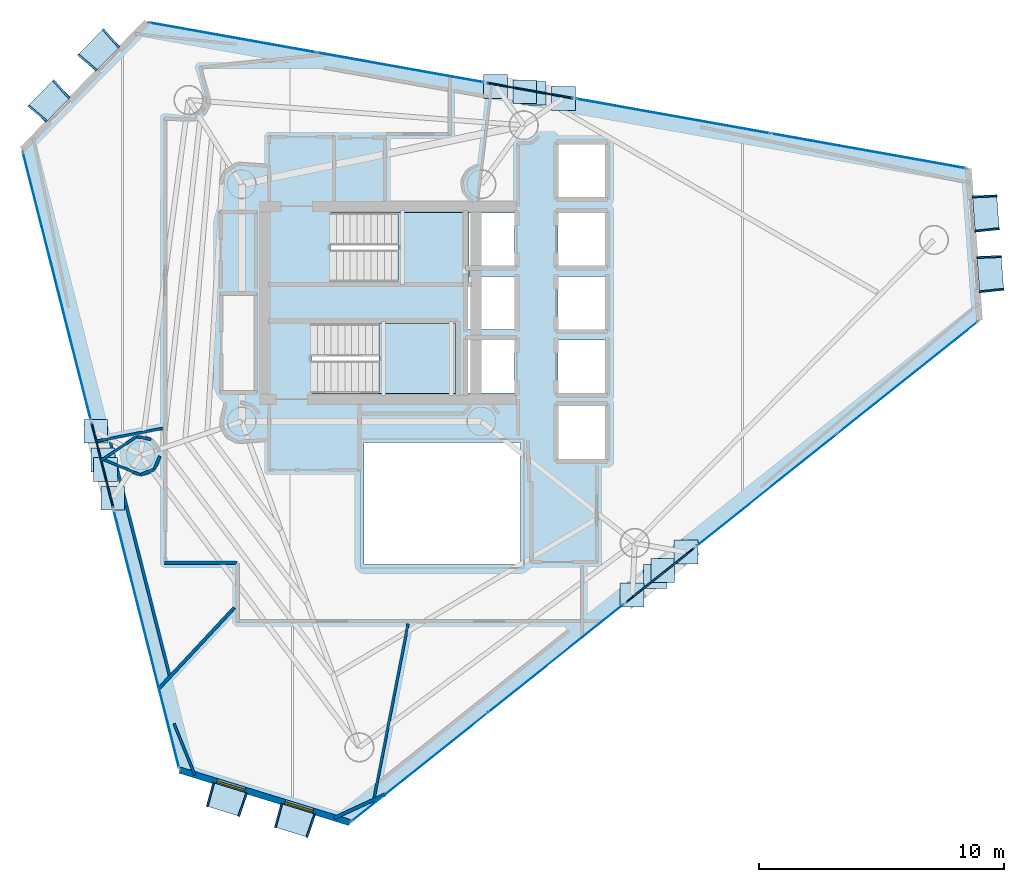
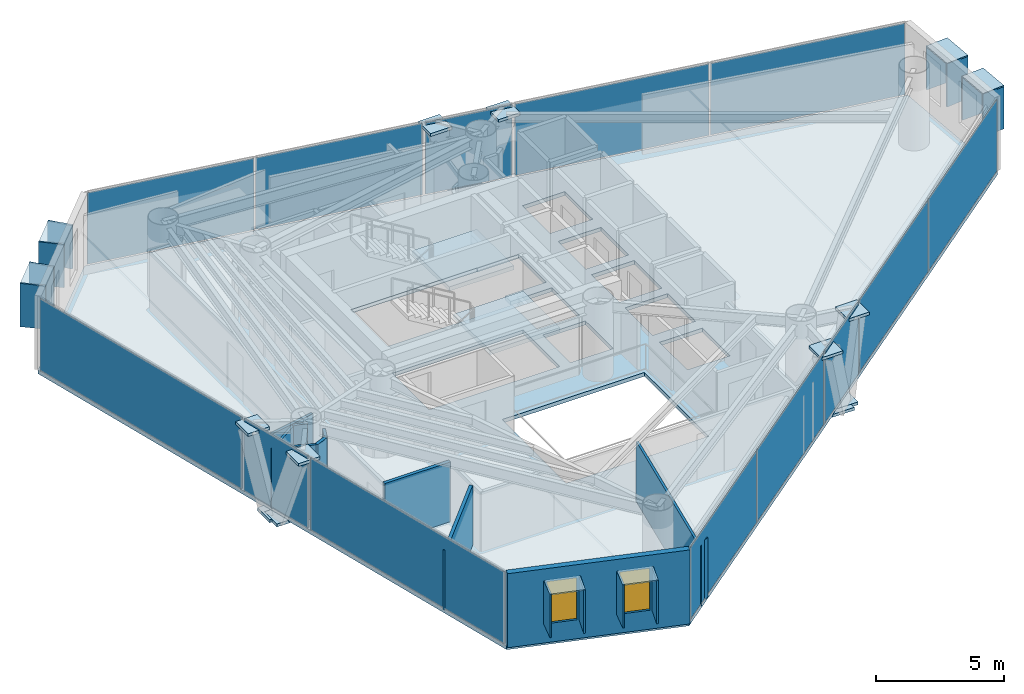
# One storey, part 16 of 22: 43 plates, 13 walls, 3 slabs, 2 windows, 2 openings, 11 elements without a shape of their own.
"""IFC4 building model written with IfcOpenShell, lengths in metres."""

from ifc_helpers import new_model, si_unit, direction, frame, frame_2d, origin, origin_2d, place, context, subcontext, project, spatial, polyline, rectangle, outline, extrude, material, layer, layer_set, type_object, element, fill, aggregate, save


model = new_model("IFC4")

# Units and contexts
model_context = context("Model", 3, precision=1e-05, world=origin(), true_north=direction((0.0, 1.0)))
body_context = subcontext(model_context, "Body", "Model", "MODEL_VIEW")
ifc_project = project(units=[si_unit("LENGTHUNIT", "METRE"), si_unit("AREAUNIT", "SQUARE_METRE"), si_unit("VOLUMEUNIT", "CUBIC_METRE"), si_unit("PLANEANGLEUNIT", "RADIAN"), si_unit("MASSUNIT", "GRAM", prefix="KILO")], contexts=[model_context])

# Site, building, storey
site_placement = place(None, origin())
site = spatial("IfcSite", under=ifc_project, at=site_placement, CompositionType="ELEMENT")
building_placement = place(site_placement, origin())
building = spatial("IfcBuilding", under=site, at=building_placement, Name="Qianvela Tower", CompositionType="ELEMENT")
storey_placement = place(building_placement, frame((0.0, 0.0, 207.699951171875)))
storey = spatial("IfcBuildingStorey", under=building, at=storey_placement, Name="L53", CompositionType="ELEMENT", Elevation=207.699951171875)

# Curtain wall, plate
ifc_material_1 = material(Name="Anodised Architectural Aluminium and Insulated Spandrel Panel", Category="aluminium")
ifc_layer_1 = layer(ifc_material_1, 0.179931640625)
ifc_layer_set_1 = layer_set([ifc_layer_1], Name="Anodised Architectural Aluminium and Insulated Spandrel Panel")
curtain_wall_type_1 = type_object("IfcCurtainWallType", Name="CW-BRACEBAY", PredefinedType="USERDEFINED", material=ifc_layer_set_1)
curtain_wall_1_placement = place(storey_placement, origin())
curtain_wall_1 = element("IfcCurtainWall", 1, at=curtain_wall_1_placement, inside=storey, type_object=curtain_wall_type_1, Name="L53 CW-BRACEBAY Curtain Wall 02B", ObjectType="CURTAIN_WALL_SYSTEM", PredefinedType="USERDEFINED")
ifc_material_2 = material(Name="Insulated Aluminium Spandrel Panel with Mineral-Wool Backpan", Category="aluminium")
ifc_layer_2 = layer(ifc_material_2, 0.06005859375)
ifc_layer_set_2 = layer_set([ifc_layer_2], Name="Insulated Aluminium Spandrel Panel with Mineral-Wool Backpan")
plate_type_1 = type_object("IfcPlateType", Name="CW-BRACEBAY-PNL", PredefinedType="CURTAIN_PANEL", material=ifc_layer_set_2)
plate_1_placement = place(storey_placement, frame((40.384521484375, 37.377685546875, 0.06494140625), z_axis=(0.0, 0.0, 1.0), x_axis=(-0.984462467504, 0.175595131128, 0.0)))
plate_1 = element("IfcPlate", 2, at=plate_1_placement, type_object=plate_type_1, Name="CW-9 panel 1.1", PredefinedType="CURTAIN_PANEL", context=body_context, shape_type="SweptSolid", body=[
    extrude(rectangle(XDim=3.570068359375, YDim=0.06005859375, at=origin_2d()), origin(), (0.0, 0.0, 1.0), 3.389892578125),
])
aggregate(curtain_wall_1, [plate_1])

curtain_wall_2_placement = place(storey_placement, origin())
curtain_wall_2 = element("IfcCurtainWall", 3, at=curtain_wall_2_placement, inside=storey, type_object=curtain_wall_type_1, Name="L53 CW-BRACEBAY Curtain Wall 04B", ObjectType="CURTAIN_WALL_SYSTEM", PredefinedType="USERDEFINED")
plate_2_placement = place(storey_placement, frame((22.908203125, 22.064453125, 0.06494140625), z_axis=(0.0, 0.0, 1.0), x_axis=(0.24597450291, -0.969276299059, 0.0)))
plate_2 = element("IfcPlate", 4, at=plate_2_placement, type_object=plate_type_1, Name="CW-9 panel 1.1", PredefinedType="CURTAIN_PANEL", context=body_context, shape_type="SweptSolid", body=[
    extrude(rectangle(XDim=3.570068359375, YDim=0.06005859375, at=origin_2d()), origin(), (0.0, 0.0, 1.0), 3.389892578125),
])
aggregate(curtain_wall_2, [plate_2])

curtain_wall_3_placement = place(storey_placement, origin())
curtain_wall_3 = element("IfcCurtainWall", 5, at=curtain_wall_3_placement, inside=storey, type_object=curtain_wall_type_1, Name="L53 CW-BRACEBAY Curtain Wall 06B", ObjectType="CURTAIN_WALL_SYSTEM", PredefinedType="USERDEFINED")
plate_3_placement = place(storey_placement, frame((45.7109375, 17.57421875, 0.06494140625), z_axis=(0.0, 0.0, 1.0), x_axis=(0.781599333086, 0.62378079685, 0.0)))
plate_3 = element("IfcPlate", 6, at=plate_3_placement, type_object=plate_type_1, Name="CW-9 panel 1.1", PredefinedType="CURTAIN_PANEL", context=body_context, shape_type="SweptSolid", body=[
    extrude(rectangle(XDim=3.580078125, YDim=0.06005859375, at=origin_2d()), origin(), (0.0, 0.0, 1.0), 3.389892578125),
])
aggregate(curtain_wall_3, [plate_3])

# Curtain wall, plates
ifc_material_3 = material(Name="Anodised Architectural Aluminium and Low-E Glass", Category="aluminium")
ifc_layer_3 = layer(ifc_material_3, 0.159912109375)
ifc_layer_set_3 = layer_set([ifc_layer_3], Name="Anodised Architectural Aluminium and Low-E Glass")
curtain_wall_type_2 = type_object("IfcCurtainWallType", Name="CW-COLIV-Z56", PredefinedType="USERDEFINED", material=ifc_layer_set_3)
curtain_wall_4_placement = place(storey_placement, origin())
curtain_wall_4 = element("IfcCurtainWall", 7, at=curtain_wall_4_placement, inside=storey, type_object=curtain_wall_type_2, Name="L53 CW-COLIV-Z56 Curtain Wall 02A", ObjectType="CURTAIN_WALL_SYSTEM", PredefinedType="USERDEFINED")
ifc_material_4 = material(Name="Double-Silver Low-E Insulated Glass", Category="glass")
ifc_layer_4 = layer(ifc_material_4, 0.028076171875)
ifc_layer_set_4 = layer_set([ifc_layer_4], Name="Double-Silver Low-E Insulated Glass")
plate_type_2 = type_object("IfcPlateType", Name="CW-COLIV-Z56-PNL", PredefinedType="CURTAIN_PANEL", material=ifc_layer_set_4)
plate_4_placement = place(storey_placement, frame((54.224853515625, 34.9091796875, 0.06005859375), z_axis=(0.0, 0.0, 1.0), x_axis=(-0.984463651635, 0.175588492248, 0.0)))
plate_4 = element("IfcPlate", 8, at=plate_4_placement, type_object=plate_type_2, Name="CW-5 panel 1.1", PredefinedType="CURTAIN_PANEL", context=body_context, shape_type="SweptSolid", body=[
    extrude(rectangle(XDim=8.052490234375, YDim=0.028076171875, at=origin_2d()), origin(), (0.0, 0.0, 1.0), 3.39990234375),
])
plate_5_placement = place(storey_placement, frame((46.2333984375, 36.33447265625, 0.06005859375), z_axis=(0.0, 0.0, 1.0), x_axis=(-0.984463651635, 0.175588492248, 0.0)))
plate_5 = element("IfcPlate", 9, at=plate_5_placement, type_object=plate_type_2, Name="CW-5 panel 2.1", PredefinedType="CURTAIN_PANEL", context=body_context, shape_type="SweptSolid", body=[
    extrude(rectangle(XDim=8.052490234375, YDim=0.028076171875, at=origin_2d()), origin(), (0.0, 0.0, 1.0), 3.39990234375),
])
aggregate(curtain_wall_4, [plate_4, plate_5])

curtain_wall_5_placement = place(storey_placement, origin())
curtain_wall_5 = element("IfcCurtainWall", 10, at=curtain_wall_5_placement, inside=storey, type_object=curtain_wall_type_2, Name="L53 CW-COLIV-Z56 Curtain Wall 02C", ObjectType="CURTAIN_WALL_SYSTEM", PredefinedType="USERDEFINED")
plate_6_placement = place(storey_placement, frame((35.100341796875, 38.320068359375, 0.06005859375), z_axis=(0.0, 0.0, 1.0), x_axis=(-0.984464049962, 0.175586258949, 0.0)))
plate_6 = element("IfcPlate", 11, at=plate_6_placement, type_object=plate_type_2, Name="CW-5 panel 1.1", PredefinedType="CURTAIN_PANEL", context=body_context, shape_type="SweptSolid", body=[
    extrude(rectangle(XDim=6.905029296875, YDim=0.028076171875, at=origin_2d()), origin(), (0.0, 0.0, 1.0), 3.39990234375),
])
plate_7_placement = place(storey_placement, frame((28.238525390625, 39.5439453125, 0.06005859375), z_axis=(0.0, 0.0, 1.0), x_axis=(-0.984464049962, 0.175586258949, 0.0)))
plate_7 = element("IfcPlate", 12, at=plate_7_placement, type_object=plate_type_2, Name="CW-5 panel 2.1", PredefinedType="CURTAIN_PANEL", context=body_context, shape_type="SweptSolid", body=[
    extrude(rectangle(XDim=6.905029296875, YDim=0.028076171875, at=origin_2d()), origin(), (0.0, 0.0, 1.0), 3.39990234375),
])
aggregate(curtain_wall_5, [plate_6, plate_7])

# Curtain wall, plate
curtain_wall_6_placement = place(storey_placement, origin())
curtain_wall_6 = element("IfcCurtainWall", 13, at=curtain_wall_6_placement, inside=storey, type_object=curtain_wall_type_2, Name="L53 CW-COLIV-Z56 Curtain Wall 04A", ObjectType="CURTAIN_WALL_SYSTEM", PredefinedType="USERDEFINED")
plate_8_placement = place(storey_placement, frame((21.0498046875, 29.387451171875, 0.06005859375), z_axis=(0.0, 0.0, 1.0), x_axis=(0.245986172536, -0.969273337569, 0.0)))
plate_8 = element("IfcPlate", 14, at=plate_8_placement, type_object=plate_type_2, Name="CW-5 panel 1.1", PredefinedType="CURTAIN_PANEL", context=body_context, shape_type="SweptSolid", body=[
    extrude(rectangle(XDim=11.280029296875, YDim=0.028076171875, at=origin_2d()), origin(), (0.0, 0.0, 1.0), 3.39990234375),
])
aggregate(curtain_wall_6, [plate_8])

curtain_wall_7_placement = place(storey_placement, origin())
curtain_wall_7 = element("IfcCurtainWall", 15, at=curtain_wall_7_placement, inside=storey, type_object=curtain_wall_type_2, Name="L53 CW-COLIV-Z56 Curtain Wall 04C", ObjectType="CURTAIN_WALL_SYSTEM", PredefinedType="USERDEFINED")
plate_9_placement = place(storey_placement, frame((24.711181640625, 14.9599609375, 0.06005859375), z_axis=(0.0, 0.0, 1.0), x_axis=(0.245984180726, -0.969273843056, 0.0)))
plate_9 = element("IfcPlate", 16, at=plate_9_placement, type_object=plate_type_2, Name="CW-5 panel 1.1", PredefinedType="CURTAIN_PANEL", context=body_context, shape_type="SweptSolid", body=[
    extrude(rectangle(XDim=10.82958984375, YDim=0.028076171875, at=origin_2d()), origin(), (0.0, 0.0, 1.0), 3.39990234375),
])
aggregate(curtain_wall_7, [plate_9])

# Curtain wall, plates
curtain_wall_8_placement = place(storey_placement, origin())
curtain_wall_8 = element("IfcCurtainWall", 17, at=curtain_wall_8_placement, inside=storey, type_object=curtain_wall_type_2, Name="L53 CW-COLIV-Z56 Curtain Wall 06A", ObjectType="CURTAIN_WALL_SYSTEM", PredefinedType="USERDEFINED")
plate_10_placement = place(storey_placement, frame((35.87939453125, 9.727783203125, 0.06005859375), z_axis=(0.0, 0.0, 1.0), x_axis=(0.781597258145, 0.62378339675, 0.0)))
plate_10 = element("IfcPlate", 18, at=plate_10_placement, type_object=plate_type_2, Name="CW-5 panel 1.1", PredefinedType="CURTAIN_PANEL", context=body_context, shape_type="SweptSolid", body=[
    extrude(rectangle(XDim=7.0625, YDim=0.028076171875, at=origin_2d()), origin(), (0.0, 0.0, 1.0), 3.39990234375),
])
plate_11_placement = place(storey_placement, frame((41.4501953125, 14.173828125, 0.06005859375), z_axis=(0.0, 0.0, 1.0), x_axis=(0.781597258145, 0.62378339675, 0.0)))
plate_11 = element("IfcPlate", 19, at=plate_11_placement, type_object=plate_type_2, Name="CW-5 panel 2.1", PredefinedType="CURTAIN_PANEL", context=body_context, shape_type="SweptSolid", body=[
    extrude(rectangle(XDim=7.0625, YDim=0.028076171875, at=origin_2d()), origin(), (0.0, 0.0, 1.0), 3.39990234375),
])
aggregate(curtain_wall_8, [plate_10, plate_11])

curtain_wall_9_placement = place(storey_placement, origin())
curtain_wall_9 = element("IfcCurtainWall", 20, at=curtain_wall_9_placement, inside=storey, type_object=curtain_wall_type_2, Name="L53 CW-COLIV-Z56 Curtain Wall 06C", ObjectType="CURTAIN_WALL_SYSTEM", PredefinedType="USERDEFINED")
plate_12_placement = place(storey_placement, frame((50.063232421875, 21.047607421875, 0.06005859375), z_axis=(0.0, 0.0, 1.0), x_axis=(0.781597265069, 0.623783388074, 0.0)))
plate_12 = element("IfcPlate", 21, at=plate_12_placement, type_object=plate_type_2, Name="CW-5 panel 1.1", PredefinedType="CURTAIN_PANEL", context=body_context, shape_type="SweptSolid", body=[
    extrude(rectangle(XDim=7.296630859375, YDim=0.028076171875, at=origin_2d()), origin(), (0.0, 0.0, 1.0), 3.39990234375),
])
plate_13_placement = place(storey_placement, frame((55.81689453125, 25.639892578125, 0.06005859375), z_axis=(0.0, 0.0, 1.0), x_axis=(0.781597265069, 0.623783388074, 0.0)))
plate_13 = element("IfcPlate", 22, at=plate_13_placement, type_object=plate_type_2, Name="CW-5 panel 2.1", PredefinedType="CURTAIN_PANEL", context=body_context, shape_type="SweptSolid", body=[
    extrude(rectangle(XDim=7.296630859375, YDim=0.028076171875, at=origin_2d()), origin(), (0.0, 0.0, 1.0), 3.39990234375),
])
aggregate(curtain_wall_9, [plate_12, plate_13])

# Plates
ifc_material_5 = material(Name="Steel Q420GJC", Category="steel")
ifc_layer_5 = layer(ifc_material_5, 0.139892578125)
ifc_layer_set_5 = layer_set([ifc_layer_5], Name="Steel Q420GJC")
plate_type_3 = type_object("IfcPlateType", Name="PT-GUSSET-NODE-140", PredefinedType="USERDEFINED", material=ifc_layer_set_5)
for number, where, z_axis, x_axis, name in (
    (23, (40.565673828125, 37.26416015625, -0.271484375), (0.0, 0.0, 1.0), (1.0, 0.0, 0.0), "L53 Node Gusset Plate A"),
    (24, (41.760498046875, 37.05078125, 3.20947265625), (0.0, 0.0, 1.0), (1.0, 0.0, 0.0), "L53 Node Gusset Plate B"),
    (25, (40.1748046875, 37.333740234375, -0.271484375), (0.0, 0.0, 1.0), (1.0, 0.0, 0.0), "L53 Node Gusset Plate A"),
    (26, (38.979736328125, 37.547119140625, 3.20947265625), (0.0, 0.0, 1.0), (1.0, 0.0, 0.0), "L53 Node Gusset Plate B"),
    (27, (22.937255859375, 22.275390625, -0.271484375), (0.0, 0.0, 1.0), (1.0, 0.0, 0.0), "L53 Node Gusset Plate A"),
    (28, (22.638671875, 23.451904296875, 3.20947265625), (0.0, 0.0, 1.0), (1.0, 0.0, 0.0), "L53 Node Gusset Plate B"),
    (29, (23.034912109375, 21.890380859375, -0.271484375), (0.0, 0.0, 1.0), (1.0, 0.0, 0.0), "L53 Node Gusset Plate A"),
    (30, (23.33349609375, 20.714111328125, 3.20947265625), (0.0, 0.0, 1.0), (1.0, 0.0, 0.0), "L53 Node Gusset Plate B"),
    (31, (45.506103515625, 17.51318359375, -0.271484375), (0.0, 0.0, 1.0), (1.0, 0.0, 0.0), "L53 Node Gusset Plate A"),
    (32, (44.5576171875, 16.756103515625, 3.20947265625), (0.0, 0.0, 1.0), (1.0, 0.0, 0.0), "L53 Node Gusset Plate B"),
    (33, (45.816650390625, 17.760986328125, -0.271484375), (0.0, 0.0, 1.0), (1.0, 0.0, 0.0), "L53 Node Gusset Plate A"),
    (34, (46.76513671875, 18.51806640625, 3.20947265625), (0.0, 0.0, 1.0), (1.0, 0.0, 0.0), "L53 Node Gusset Plate B"),
):
    element("IfcPlate", number, at=place(storey_placement, frame(where, z_axis=z_axis, x_axis=x_axis)), inside=storey, type_object=plate_type_3, Name=name, ObjectType="GUSSET_PLATE", PredefinedType="USERDEFINED", context=body_context, shape_type="SweptSolid", body=[
        extrude(rectangle(XDim=0.969970703125, YDim=0.969970703125, at=origin_2d()), origin(), (0.0, 0.0, 1.0), 0.139892578125),
    ])

# Slab
ifc_material_6 = material(Name="Concrete C40", Category="concrete")
ifc_layer_6 = layer(ifc_material_6, 0.179931640625)
ifc_layer_set_6 = layer_set([ifc_layer_6], Name="Concrete C40")
slab_type_1 = type_object("IfcSlabType", Name="SL-FLOOR-180", PredefinedType="FLOOR", material=ifc_layer_set_6)
slab_1_placement = place(storey_placement, frame((0.0, 0.0, -0.179931640625)))
element("IfcSlab", 35, at=slab_1_placement, inside=storey, type_object=slab_type_1, Name="L53 Composite Structural Floor Slab", PredefinedType="FLOOR", context=body_context, shape_type="SweptSolid", body=[
    extrude(outline(polyline([(58.75830078125, 27.9873046875), (58.3017578125, 34.181884765625), (24.7265625, 40.17041015625), (19.63427734375, 34.965576171875), (26.071533203125, 9.60009765625), (33.029541015625, 7.453369140625), (58.75830078125, 27.9873046875)]), holes=[polyline([(40.0, 23.0), (33.60009765625, 23.0), (33.60009765625, 18.0), (40.0, 18.0), (40.0, 23.0)]), polyline([(39.760009765625, 27.179931640625), (37.840087890625, 27.179931640625), (37.840087890625, 25.02001953125), (39.760009765625, 25.02001953125), (39.760009765625, 27.179931640625)]), polyline([(37.35009765625, 27.860107421875), (31.469970703125, 27.860107421875), (31.469970703125, 25.0), (37.35009765625, 25.0), (37.35009765625, 27.860107421875)]), polyline([(37.840087890625, 27.6201171875), (39.760009765625, 27.6201171875), (39.760009765625, 29.780029296875), (37.89990234375, 29.780029296875), (37.89990234375, 30.219970703125), (39.760009765625, 30.219970703125), (39.760009765625, 32.3798828125), (37.89990234375, 32.3798828125), (37.89990234375, 32.39990234375), (32.25, 32.39990234375), (32.25, 29.5400390625), (37.840087890625, 29.5400390625), (37.840087890625, 27.6201171875)]), polyline([(43.4599609375, 22.320068359375), (43.4599609375, 24.47998046875), (41.5400390625, 24.47998046875), (41.5400390625, 22.320068359375), (43.4599609375, 22.320068359375)]), polyline([(43.4599609375, 25.02001953125), (43.4599609375, 27.179931640625), (41.5400390625, 27.179931640625), (41.5400390625, 25.02001953125), (43.4599609375, 25.02001953125)]), polyline([(43.4599609375, 29.780029296875), (41.5400390625, 29.780029296875), (41.5400390625, 27.6201171875), (43.4599609375, 27.6201171875), (43.4599609375, 29.780029296875)]), polyline([(43.4599609375, 30.219970703125), (43.4599609375, 32.3798828125), (41.5400390625, 32.3798828125), (41.5400390625, 30.219970703125), (43.4599609375, 30.219970703125)]), polyline([(43.4599609375, 33.02001953125), (43.4599609375, 35.179931640625), (41.5400390625, 35.179931640625), (41.5400390625, 33.02001953125), (43.4599609375, 33.02001953125)])]), origin(), (0.0, 0.0, 1.0), 0.179931640625),
])

# Stair, slab
ifc_material_7 = material(Name="Concrete C40", Category="concrete")
stair_type = type_object("IfcStairType", Name="ST-DOGLEG-1350-R168-N22", PredefinedType="HALF_TURN_STAIR", material=ifc_material_7)
stair_1_placement = place(storey_placement, origin())
stair_1 = element("IfcStair", 36, at=stair_1_placement, inside=storey, type_object=stair_type, Name="L53 Smoke-Proof Core Stair ST-1", PredefinedType="HALF_TURN_STAIR")
ifc_material_8 = material(Name="Concrete C40", Category="concrete")
ifc_layer_7 = layer(ifc_material_8, 0.199951171875)
ifc_layer_set_7 = layer_set([ifc_layer_7], Name="Concrete C40")
slab_type_2 = type_object("IfcSlabType", Name="SL-STAIR-LANDING-200", PredefinedType="LANDING", material=ifc_layer_set_7)
slab_2_placement = place(storey_placement, frame((0.0, 0.0, 1.650146484375)))
slab_2 = element("IfcSlab", 37, at=slab_2_placement, type_object=slab_type_2, Name="ST-1 landing 1", PredefinedType="LANDING", context=body_context, shape_type="SweptSolid", body=[
    extrude(outline(polyline([(35.0, 29.5400390625), (37.89990234375, 29.5400390625), (37.89990234375, 32.39990234375), (35.0, 32.39990234375), (35.0, 29.5400390625)])), origin(), (0.0, 0.0, 1.0), 0.199951171875),
])
aggregate(stair_1, [slab_2])

stair_2_placement = place(storey_placement, origin())
stair_2 = element("IfcStair", 38, at=stair_2_placement, inside=storey, type_object=stair_type, Name="L53 Smoke-Proof Core Stair ST-2", PredefinedType="HALF_TURN_STAIR")
slab_3_placement = place(storey_placement, frame((0.0, 0.0, 1.650146484375)))
slab_3 = element("IfcSlab", 39, at=slab_3_placement, type_object=slab_type_2, Name="ST-2 landing 1", PredefinedType="LANDING", context=body_context, shape_type="SweptSolid", body=[
    extrude(outline(polyline([(34.219970703125, 25.0), (37.35009765625, 25.0), (37.35009765625, 27.860107421875), (34.219970703125, 27.860107421875), (34.219970703125, 25.0)])), origin(), (0.0, 0.0, 1.0), 0.199951171875),
])
aggregate(stair_2, [slab_3])

# Plates
ifc_material_9 = material(Name="Vitrified Architectural Terracotta Panel", Category="masonry")
ifc_layer_8 = layer(ifc_material_9, 0.06494140625)
ifc_layer_set_8 = layer_set([ifc_layer_8], Name="Vitrified Architectural Terracotta Panel")
plate_type_4 = type_object("IfcPlateType", Name="TERRACOTTA-SUNSHADE-HOOD-FOLD-B", PredefinedType="USERDEFINED", material=ifc_layer_set_8)
for number, where, z_axis, x_axis, name in (
    (40, (59.204833984375, 29.888671875, 2.909912109375), (0.0, 0.0, 1.0), (-0.073525400038, 0.997293344783, 0.0), "L53 Terracotta Sunshade Hood FOLD-B"),
    (41, (59.022216796875, 32.366455078125, 2.909912109375), (0.0, 0.0, 1.0), (-0.073525400038, 0.997293344783, 0.0), "L53 Terracotta Sunshade Hood FOLD-B"),
    (42, (27.986328125, 8.39697265625, 2.909912109375), (0.0, 0.0, 1.0), (0.955559723248, -0.294797583617, 0.0), "L53 Terracotta Sunshade Hood FOLD-B"),
    (43, (30.76953125, 7.538330078125, 2.909912109375), (0.0, 0.0, 1.0), (0.955559723248, -0.294797583617, 0.0), "L53 Terracotta Sunshade Hood FOLD-B"),
):
    element("IfcPlate", number, at=place(storey_placement, frame(where, z_axis=z_axis, x_axis=x_axis)), inside=storey, type_object=plate_type_4, Name=name, ObjectType="SUNSHADE", PredefinedType="USERDEFINED", context=body_context, shape_type="SweptSolid", body=[
        extrude(rectangle(XDim=1.43994140625, YDim=0.989990234375, at=origin_2d()), origin(), (0.0, 0.0, 1.0), 0.06005859375),
    ])
ifc_material_10 = material(Name="Vitrified Architectural Terracotta Panel", Category="masonry")
ifc_layer_9 = layer(ifc_material_10, 0.074951171875)
ifc_layer_set_9 = layer_set([ifc_layer_9], Name="Vitrified Architectural Terracotta Panel")
plate_type_5 = type_object("IfcPlateType", Name="TERRACOTTA-SUNSHADE-HOOD-FOLD-D", PredefinedType="USERDEFINED", material=ifc_layer_set_9)
for number, where, z_axis, x_axis, name in (
    (44, (22.78076171875, 39.01806640625, 2.909912109375), (0.0, 0.0, 1.0), (-0.699339051069, -0.714790103212, 0.0), "L53 Terracotta Sunshade Hood FOLD-D"),
    (45, (20.74365234375, 36.936279296875, 2.909912109375), (0.0, 0.0, 1.0), (-0.699339051069, -0.714790103212, 0.0), "L53 Terracotta Sunshade Hood FOLD-D"),
):
    element("IfcPlate", number, at=place(storey_placement, frame(where, z_axis=z_axis, x_axis=x_axis)), inside=storey, type_object=plate_type_5, Name=name, ObjectType="SUNSHADE", PredefinedType="USERDEFINED", context=body_context, shape_type="SweptSolid", body=[
        extrude(rectangle(XDim=1.43994140625, YDim=0.989990234375, at=origin_2d()), origin(), (0.0, 0.0, 1.0), 0.06005859375),
    ])
ifc_material_11 = material(Name="Vitrified Architectural Terracotta Side Fin Panel", Category="masonry")
ifc_layer_10 = layer(ifc_material_11, 0.070068359375)
ifc_layer_set_10 = layer_set([ifc_layer_10], Name="Vitrified Architectural Terracotta Side Fin Panel")
plate_type_6 = type_object("IfcPlateType", Name="TERRACOTTA-SUNSHADE-STRUT-FOLD-B", PredefinedType="USERDEFINED", material=ifc_layer_set_10)
for number, where, z_axis, x_axis, name in (
    (46, (59.255615234375, 29.20068359375, 0.89990234375), (0.0, 0.0, 1.0), (-0.103946963102, 0.994582841629, 0.0), "L53 Terracotta Sunshade Side Fin HL FOLD-B"),
    (47, (59.154052734375, 30.576904296875, 0.89990234375), (0.0, 0.0, 1.0), (-0.043035251134, 0.999073554429, 0.0), "L53 Terracotta Sunshade Side Fin HR FOLD-B"),
    (48, (59.072998046875, 31.678466796875, 0.89990234375), (0.0, 0.0, 1.0), (-0.103946963102, 0.994582841629, 0.0), "L53 Terracotta Sunshade Side Fin HL FOLD-B"),
    (49, (58.971435546875, 33.0546875, 0.89990234375), (0.0, 0.0, 1.0), (-0.043035251134, 0.999073554429, 0.0), "L53 Terracotta Sunshade Side Fin HR FOLD-B"),
    (50, (27.3271484375, 8.600341796875, 0.89990234375), (0.0, 0.0, 1.0), (0.964116721339, -0.265478714091, 0.0), "L53 Terracotta Sunshade Side Fin HL FOLD-B"),
    (51, (28.645751953125, 8.193603515625, 0.89990234375), (0.0, 0.0, 1.0), (0.946111361536, -0.323841460554, 0.0), "L53 Terracotta Sunshade Side Fin HR FOLD-B"),
    (52, (30.1103515625, 7.74169921875, 0.89990234375), (0.0, 0.0, 1.0), (0.964116721339, -0.265478714091, 0.0), "L53 Terracotta Sunshade Side Fin HL FOLD-B"),
    (53, (31.428955078125, 7.3349609375, 0.89990234375), (0.0, 0.0, 1.0), (0.946111361536, -0.323841460554, 0.0), "L53 Terracotta Sunshade Side Fin HR FOLD-B"),
):
    element("IfcPlate", number, at=place(storey_placement, frame(where, z_axis=z_axis, x_axis=x_axis)), inside=storey, type_object=plate_type_6, Name=name, ObjectType="SUNSHADE", PredefinedType="USERDEFINED", context=body_context, shape_type="SweptSolid", body=[
        extrude(rectangle(XDim=0.070068359375, YDim=1.010009765625, at=origin_2d()), origin(), (0.0, 0.0, 1.0), 2.06005859375),
    ])
ifc_material_12 = material(Name="Vitrified Architectural Terracotta Side Fin Panel", Category="masonry")
ifc_layer_11 = layer(ifc_material_12, 0.080078125)
ifc_layer_set_11 = layer_set([ifc_layer_11], Name="Vitrified Architectural Terracotta Side Fin Panel")
plate_type_7 = type_object("IfcPlateType", Name="TERRACOTTA-SUNSHADE-STRUT-FOLD-D", PredefinedType="USERDEFINED", material=ifc_layer_set_11)
for number, where, z_axis, x_axis, name in (
    (54, (23.26318359375, 39.51123046875, 0.89990234375), (0.0, 0.0, 1.0), (-0.750388013482, -0.660997601526, 0.0), "L53 Terracotta Sunshade Side Fin HL FOLD-D"),
    (55, (22.298095703125, 38.52490234375, 0.89990234375), (0.0, 0.0, 1.0), (-0.64444398277, -0.764651523945, 0.0), "L53 Terracotta Sunshade Side Fin HR FOLD-D"),
    (56, (21.226318359375, 37.429443359375, 0.89990234375), (0.0, 0.0, 1.0), (-0.750388013482, -0.660997601526, 0.0), "L53 Terracotta Sunshade Side Fin HL FOLD-D"),
    (57, (20.26123046875, 36.44287109375, 0.89990234375), (0.0, 0.0, 1.0), (-0.64444398277, -0.764651523945, 0.0), "L53 Terracotta Sunshade Side Fin HR FOLD-D"),
):
    element("IfcPlate", number, at=place(storey_placement, frame(where, z_axis=z_axis, x_axis=x_axis)), inside=storey, type_object=plate_type_7, Name=name, ObjectType="SUNSHADE", PredefinedType="USERDEFINED", context=body_context, shape_type="SweptSolid", body=[
        extrude(rectangle(XDim=0.080078125, YDim=1.010009765625, at=origin_2d()), origin(), (0.0, 0.0, 1.0), 2.06005859375),
    ])

# Wall, openings, windows
ifc_material_13 = material(Name="Terracotta Cladding on Concrete C40", Category="masonry")
ifc_layer_12 = layer(ifc_material_13, 0.260009765625)
ifc_layer_set_12 = layer_set([ifc_layer_12], Name="Terracotta Cladding on Concrete C40")
wall_type_1 = type_object("IfcWallType", Name="TERRACOTTA-WALL-260", PredefinedType="SOLIDWALL", material=ifc_layer_set_12)
wall_1_placement = place(storey_placement, frame((26.071533203125, 9.60009765625, 0.0), z_axis=(0.0, 0.0, 1.0), x_axis=(0.955554726594, -0.294813779331, 0.0)))
wall_1 = element("IfcWall", 58, at=wall_1_placement, inside=storey, type_object=wall_type_1, Name="L53 Terracotta Chamfer Facet Wall 5", PredefinedType="SOLIDWALL", context=body_context, shape_type="SweptSolid", body=[
    extrude(rectangle(XDim=7.28173828125, YDim=0.260009765625, at=frame_2d((3.640869140625, 0.0))), origin(), (0.0, 0.0, 1.0), 3.52001953125),
])
opening_1_placement = place(wall_1_placement, frame((1.58447265625, 0.0, 0.89990234375)))
opening_1 = element("IfcOpeningElement", 59, at=opening_1_placement, cuts=wall_1, Name="Opening W-03", PredefinedType="OPENING", context=body_context, shape_type="SweptSolid", body=[
    extrude(rectangle(XDim=1.199951171875, YDim=2.0, at=frame_2d((0.60009765625, 1.0))), frame((0.0, 0.139892578125, 0.0), z_axis=(0.0, -1.0, 0.0), x_axis=(1.0, 0.0, 0.0)), (0.0, 0.0, 1.0), 0.280029296875),
])
opening_2_placement = place(wall_1_placement, frame((4.4970703125, 0.0, 0.89990234375)))
opening_2 = element("IfcOpeningElement", 60, at=opening_2_placement, cuts=wall_1, Name="Opening W-03", PredefinedType="OPENING", context=body_context, shape_type="SweptSolid", body=[
    extrude(rectangle(XDim=1.199951171875, YDim=2.0, at=frame_2d((0.60009765625, 1.0))), frame((0.0, 0.139892578125, 0.0), z_axis=(0.0, -1.0, 0.0), x_axis=(1.0, 0.0, 0.0)), (0.0, 0.0, 1.0), 0.280029296875),
])
ifc_material_14 = material(Name="Thermally Broken Aluminium and Low-E Glass", Category="aluminium")
window_type = type_object("IfcWindowType", Name="WIN-TC-1200x2000", PartitioningType="SINGLE_PANEL", PredefinedType="WINDOW", material=ifc_material_14)
window_1_placement = place(opening_1_placement, origin())
window_1 = element("IfcWindow", 61, at=window_1_placement, inside=storey, type_object=window_type, Name="L53 Chamfer Facet Window 5.1", OverallHeight=2.0, OverallWidth=1.199951171875, PartitioningType="SINGLE_PANEL", PredefinedType="WINDOW", context=body_context, shape_type="SweptSolid", body=[
    extrude(rectangle(XDim=1.199951171875, YDim=2.0, at=frame_2d((0.60009765625, 1.0))), frame((0.0, 0.030029296875, 0.0), z_axis=(0.0, -1.0, 0.0), x_axis=(1.0, 0.0, 0.0)), (0.0, 0.0, 1.0), 0.06005859375),
])
fill(opening_1, window_1)
window_2_placement = place(opening_2_placement, origin())
window_2 = element("IfcWindow", 62, at=window_2_placement, inside=storey, type_object=window_type, Name="L53 Chamfer Facet Window 5.2", OverallHeight=2.0, OverallWidth=1.199951171875, PartitioningType="SINGLE_PANEL", PredefinedType="WINDOW", context=body_context, shape_type="SweptSolid", body=[
    extrude(rectangle(XDim=1.199951171875, YDim=2.0, at=frame_2d((0.60009765625, 1.0))), frame((0.0, 0.030029296875, 0.0), z_axis=(0.0, -1.0, 0.0), x_axis=(1.0, 0.0, 0.0)), (0.0, 0.0, 1.0), 0.06005859375),
])
fill(opening_2, window_2)

# Walls
ifc_material_15 = material(Name="Fire-Rated Acoustic Gypsum Board")
ifc_layer_13 = layer(ifc_material_15, 0.14990234375)
ifc_layer_set_13 = layer_set([ifc_layer_13], Name="Fire-Rated Acoustic Gypsum Board")
wall_type_2 = type_object("IfcWallType", Name="WT-CORR-150", PredefinedType="PARTITIONING", material=ifc_layer_set_13)
wall_2_placement = place(storey_placement, frame((28.39990234375, 18.0810546875, 0.0), z_axis=(0.0, 0.0, 1.0), x_axis=(-1.0, 0.0, 0.0)))
element("IfcWall", 63, at=wall_2_placement, inside=storey, type_object=wall_type_2, Name="L53 Partition 72", PredefinedType="PARTITIONING", context=body_context, shape_type="SweptSolid", body=[
    extrude(rectangle(XDim=2.949951171875, YDim=0.14990234375, at=frame_2d((1.47509765625, 0.0))), origin(), (0.0, 0.0, 1.0), 2.840087890625),
])
ifc_material_16 = material(Name="Lightweight Gypsum Room Partition")
ifc_layer_14 = layer(ifc_material_16, 0.10498046875)
ifc_layer_set_14 = layer_set([ifc_layer_14], Name="Lightweight Gypsum Room Partition")
wall_type_3 = type_object("IfcWallType", Name="WT-PART-105", PredefinedType="PARTITIONING", material=ifc_layer_set_14)
wall_3_placement = place(storey_placement, frame((22.640869140625, 23.037353515625, 0.0), z_axis=(0.0, 0.0, 1.0), x_axis=(0.981621317476, 0.19083917071, 0.0)))
element("IfcWall", 64, at=wall_3_placement, inside=storey, type_object=wall_type_3, Name="L53 Partition 80", PredefinedType="PARTITIONING", context=body_context, shape_type="SweptSolid", body=[
    extrude(rectangle(XDim=2.786376953125, YDim=0.10498046875, at=frame_2d((1.39306640625, 0.0))), origin(), (0.0, 0.0, 1.0), 2.840087890625),
])
wall_4_placement = place(storey_placement, frame((24.306396484375, 23.231201171875, 0.0), z_axis=(0.0, 0.0, 1.0), x_axis=(-0.831388966537, -0.555690908978, 0.0)))
element("IfcWall", 65, at=wall_4_placement, inside=storey, type_object=wall_type_3, Name="L53 Partition 83", PredefinedType="PARTITIONING", context=body_context, shape_type="SweptSolid", body=[
    extrude(rectangle(XDim=1.76220703125, YDim=0.10498046875, at=frame_2d((0.881103515625, 0.0))), origin(), (0.0, 0.0, 1.0), 2.840087890625),
])
wall_5_placement = place(storey_placement, frame((22.819091796875, 22.351318359375, 0.0), z_axis=(0.0, 0.0, 1.0), x_axis=(0.923847632456, -0.382760436833, 0.0)))
element("IfcWall", 66, at=wall_5_placement, inside=storey, type_object=wall_type_3, Name="L53 Partition 86", PredefinedType="PARTITIONING", context=body_context, shape_type="SweptSolid", body=[
    extrude(rectangle(XDim=1.7763671875, YDim=0.10498046875, at=frame_2d((0.88818359375, 0.0))), origin(), (0.0, 0.0, 1.0), 2.840087890625),
])
wall_6_placement = place(storey_placement, frame((35.3994140625, 15.575927734375, 0.0), z_axis=(0.0, 0.0, 1.0), x_axis=(-0.190815879086, -0.981625845365, 0.0)))
element("IfcWall", 67, at=wall_6_placement, inside=storey, type_object=wall_type_3, Name="L53 Partition 92", PredefinedType="PARTITIONING", context=body_context, shape_type="SweptSolid", body=[
    extrude(rectangle(XDim=7.533447265625, YDim=0.10498046875, at=frame_2d((3.7666015625, 0.0))), origin(), (0.0, 0.0, 1.0), 2.840087890625),
])
wall_7_placement = place(storey_placement, frame((26.693115234375, 9.390380859375, 0.0), z_axis=(0.0, 0.0, 1.0), x_axis=(-0.375816945489, 0.926693921143, 0.0)))
element("IfcWall", 68, at=wall_7_placement, inside=storey, type_object=wall_type_3, Name="L53 Partition 95 seg 1", PredefinedType="PARTITIONING", context=body_context, shape_type="SweptSolid", body=[
    extrude(rectangle(XDim=2.2802734375, YDim=0.10498046875, at=frame_2d((1.14013671875, 0.0))), origin(), (0.0, 0.0, 1.0), 2.840087890625),
])
ifc_material_17 = material(Name="Insulated Gypsum Stud Partition")
ifc_layer_15 = layer(ifc_material_17, 0.1201171875)
ifc_layer_set_15 = layer_set([ifc_layer_15], Name="Insulated Gypsum Stud Partition")
wall_type_4 = type_object("IfcWallType", Name="WT-PART-120", PredefinedType="PARTITIONING", material=ifc_layer_set_15)
wall_8_placement = place(storey_placement, frame((25.68408203125, 13.3662109375, 0.0), z_axis=(0.0, 0.0, 1.0), x_axis=(-0.245972953106, 0.969276692354, 0.0)))
element("IfcWall", 69, at=wall_8_placement, inside=storey, type_object=wall_type_4, Name="L53 Partition 79", PredefinedType="PARTITIONING", context=body_context, shape_type="SweptSolid", body=[
    extrude(rectangle(XDim=10.123046875, YDim=0.1201171875, at=frame_2d((5.0615234375, 0.0))), origin(), (0.0, 0.0, 1.0), 2.840087890625),
])
wall_9_placement = place(storey_placement, frame((24.900390625, 23.122314453125, 0.0), z_axis=(0.0, 0.0, 1.0), x_axis=(-0.980773892286, 0.195147565217, 0.0)))
element("IfcWall", 70, at=wall_9_placement, inside=storey, type_object=wall_type_4, Name="L53 Partition 82", PredefinedType="PARTITIONING", context=body_context, shape_type="SweptSolid", body=[
    extrude(rectangle(XDim=0.581787109375, YDim=0.1201171875, at=frame_2d((0.291015625, 0.0))), origin(), (0.0, 0.0, 1.0), 2.840087890625),
])
wall_10_placement = place(storey_placement, frame((25.0380859375, 21.910400390625, 0.0), z_axis=(0.0, 0.0, 1.0), x_axis=(0.389093528864, 0.921198255424, 0.0)))
element("IfcWall", 71, at=wall_10_placement, inside=storey, type_object=wall_type_4, Name="L53 Partition 88", PredefinedType="PARTITIONING", context=body_context, shape_type="SweptSolid", body=[
    extrude(rectangle(XDim=0.568359375, YDim=0.1201171875, at=frame_2d((0.2841796875, 0.0))), origin(), (0.0, 0.0, 1.0), 2.840087890625),
])
ifc_material_18 = material(Name="Acoustic Double Gypsum Stud Partition")
ifc_layer_16 = layer(ifc_material_18, 0.139892578125)
ifc_layer_set_16 = layer_set([ifc_layer_16], Name="Acoustic Double Gypsum Stud Partition")
wall_type_5 = type_object("IfcWallType", Name="WT-ROOM-140", PredefinedType="PARTITIONING", material=ifc_layer_set_16)
wall_11_placement = place(storey_placement, frame((28.29736328125, 16.23828125, 0.0), z_axis=(0.0, 0.0, 1.0), x_axis=(-0.682005005736, -0.731347504372, 0.0)))
element("IfcWall", 72, at=wall_11_placement, inside=storey, type_object=wall_type_5, Name="L53 Partition 78", PredefinedType="PARTITIONING", context=body_context, shape_type="SweptSolid", body=[
    extrude(rectangle(XDim=4.52734375, YDim=0.139892578125, at=frame_2d((2.263671875, 0.0))), origin(), (0.0, 0.0, 1.0), 2.840087890625),
])
wall_12_placement = place(storey_placement, frame((24.48388671875, 21.67138671875, 0.0), z_axis=(0.0, 0.0, 1.0), x_axis=(0.923832639322, 0.382796622927, 0.0)))
element("IfcWall", 73, at=wall_12_placement, inside=storey, type_object=wall_type_5, Name="L53 Partition 87", PredefinedType="PARTITIONING", context=body_context, shape_type="SweptSolid", body=[
    extrude(rectangle(XDim=0.58154296875, YDim=0.139892578125, at=frame_2d((0.290771484375, 0.0))), origin(), (0.0, 0.0, 1.0), 2.840087890625),
])
wall_13_placement = place(storey_placement, frame((34.480712890625, 8.611572265625, 0.0), z_axis=(0.0, 0.0, 1.0), x_axis=(-0.907459472768, -0.420139625939, 0.0)))
element("IfcWall", 74, at=wall_13_placement, inside=storey, type_object=wall_type_5, Name="L53 Partition 93", PredefinedType="PARTITIONING", context=body_context, shape_type="SweptSolid", body=[
    extrude(rectangle(XDim=2.318603515625, YDim=0.139892578125, at=frame_2d((1.1591796875, 0.0))), origin(), (0.0, 0.0, 1.0), 2.840087890625),
])

save(model, "model.ifc")
